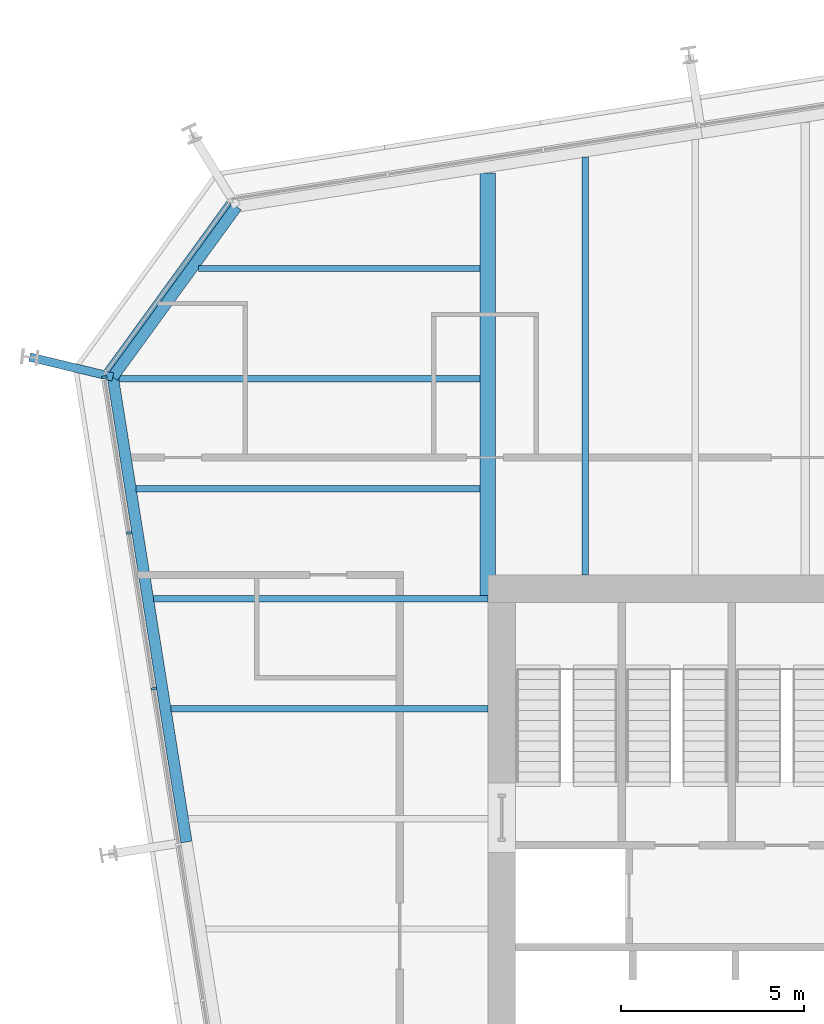
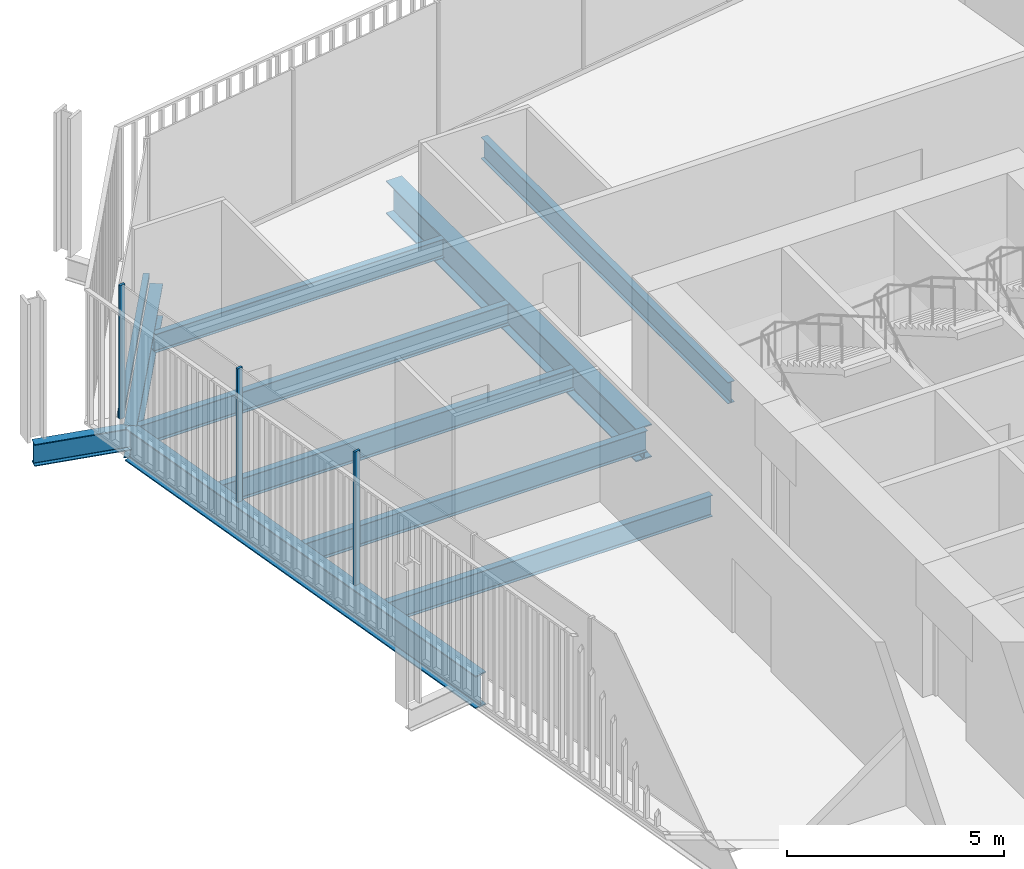
# One storey, part 10 of 21: 10 beams, 4 members, 2 elements without a shape of their own.
"""IFC4 building model written with IfcOpenShell, lengths in metres."""

from ifc_helpers import new_model, si_unit, direction, frame, origin, origin_2d, place, context, subcontext, project, spatial, rectangle, i_section, extrude, material, layer, layer_set, material_profile, profile_set, type_object, element, aggregate, save


model = new_model("IFC4")

# Units and contexts
model_context = context("Model", 3, precision=1e-05, world=origin(), true_north=direction((0.0, 1.0)))
body_context = subcontext(model_context, "Body", "Model", "MODEL_VIEW")
ifc_project = project(units=[si_unit("LENGTHUNIT", "METRE"), si_unit("AREAUNIT", "SQUARE_METRE"), si_unit("VOLUMEUNIT", "CUBIC_METRE"), si_unit("PLANEANGLEUNIT", "RADIAN"), si_unit("MASSUNIT", "GRAM", prefix="KILO")], contexts=[model_context])

# Site, building, storey
site_placement = place(None, origin())
site = spatial("IfcSite", under=ifc_project, at=site_placement, CompositionType="ELEMENT")
building_placement = place(site_placement, origin())
building = spatial("IfcBuilding", under=site, at=building_placement, Name="Millrace Tower", CompositionType="ELEMENT")
storey_placement = place(building_placement, frame((0.0, 0.0, 164.60009765625)))
storey = spatial("IfcBuildingStorey", under=building, at=storey_placement, Name="L37", CompositionType="ELEMENT", Elevation=164.60009765625)

# Curtain wall, members
ifc_material_1 = material(Name="Aluminium and glass", Category="aluminium")
ifc_layer = layer(ifc_material_1, 0.14990234375)
ifc_layer_set = layer_set([ifc_layer], Name="Aluminium and glass")
curtain_wall_type = type_object("IfcCurtainWallType", Name="CW-1 office vision curtain wall", PredefinedType="NOTDEFINED", material=ifc_layer_set)
placement = place(storey_placement, origin())
curtain_wall_1 = element("IfcCurtainWall", 1, at=placement, inside=storey, type_object=curtain_wall_type, Name="Curtain wall C-F08 L37", PredefinedType="NOTDEFINED")
ifc_material_2 = material(Name="Aluminium", Category="aluminium")
ifc_material_profile_1 = material_profile(ifc_material_2, rectangle(XDim=0.06494140625, YDim=0.14990234375, at=origin_2d()))
ifc_profile_set_1 = profile_set([ifc_material_profile_1], Name="Aluminium")
member_type_1 = type_object("IfcMemberType", Name="CW-1 office vision curtain wall mullion", PredefinedType="MULLION", material=ifc_profile_set_1)
member_1_placement = place(storey_placement, frame((-25.106689453125, 15.041748046875, 0.139892578125), z_axis=(0.0, 0.0, 1.0), x_axis=(0.15643447328, -0.98768833929, 0.0)))
member_1 = element("IfcMember", 2, at=member_1_placement, type_object=member_type_1, Name="CW1 mullion C-F08.1", PredefinedType="MULLION", context=body_context, shape_type="SweptSolid", body=[
    extrude(rectangle(XDim=0.06494140625, YDim=0.14990234375, at=origin_2d()), origin(), (0.0, 0.0, 1.0), 3.760009765625),
])
member_2_placement = place(storey_placement, frame((-24.43408203125, 10.794677734375, 0.139892578125), z_axis=(0.0, 0.0, 1.0), x_axis=(0.15643447328, -0.98768833929, 0.0)))
member_2 = element("IfcMember", 3, at=member_2_placement, type_object=member_type_1, Name="CW1 mullion C-F08.2", PredefinedType="MULLION", context=body_context, shape_type="SweptSolid", body=[
    extrude(rectangle(XDim=0.06494140625, YDim=0.14990234375, at=origin_2d()), origin(), (0.0, 0.0, 1.0), 3.760009765625),
])
member_3_placement = place(storey_placement, frame((-23.76123046875, 6.547607421875, 0.139892578125), z_axis=(0.0, 0.0, 1.0), x_axis=(0.15643447328, -0.98768833929, 0.0)))
member_3 = element("IfcMember", 4, at=member_3_placement, type_object=member_type_1, Name="CW1 mullion C-F08.3", PredefinedType="MULLION", context=body_context, shape_type="SweptSolid", body=[
    extrude(rectangle(XDim=0.06494140625, YDim=0.14990234375, at=origin_2d()), origin(), (0.0, 0.0, 1.0), 3.760009765625),
])
aggregate(curtain_wall_1, [member_1, member_2, member_3])

# Curtain wall, member
curtain_wall_2 = element("IfcCurtainWall", 5, at=placement, inside=storey, type_object=curtain_wall_type, Name="Curtain wall C-F07 L37", PredefinedType="NOTDEFINED")
ifc_material_3 = material(Name="Aluminium", Category="aluminium")
ifc_material_profile_2 = material_profile(ifc_material_3, rectangle(XDim=0.14990234375, YDim=0.139892578125, at=origin_2d()))
ifc_profile_set_2 = profile_set([ifc_material_profile_2], Name="Aluminium")
member_type_2 = type_object("IfcMemberType", Name="CW-1 office vision curtain wall transom", PredefinedType="USERDEFINED", material=ifc_profile_set_2)
member_4_placement = place(storey_placement, frame((-21.70751953125, 19.796875, 0.06982421875), z_axis=(-0.587761915215, -0.80903394924, 0.0), x_axis=(0.80903394924, -0.587761915215, 0.0)))
member_4 = element("IfcMember", 6, at=member_4_placement, type_object=member_type_2, Name="CW1 transom C-F07.1", ObjectType="TRANSOM", PredefinedType="USERDEFINED", context=body_context, shape_type="SweptSolid", body=[
    extrude(rectangle(XDim=0.14990234375, YDim=0.139892578125, at=origin_2d()), origin(), (0.0, 0.0, 1.0), 5.6689453125),
])
aggregate(curtain_wall_2, [member_4])

# Beams
ifc_material_4 = material(Name="Steel ASTM A992 Grade 50", Category="steel")
ifc_material_profile_3 = material_profile(ifc_material_4, i_section(OverallWidth=0.1650390625, OverallDepth=0.52587890625, WebThickness=0.0087890625, FlangeThickness=0.011474609375, FilletRadius=0.0126953125, at=origin_2d()))
ifc_profile_set_3 = profile_set([ifc_material_profile_3], Name="Steel ASTM A992 Grade 50")
beam_type_1 = type_object("IfcBeamType", Name="Floor beam W21x44", PredefinedType="JOIST", material=ifc_profile_set_3)
beam_1_placement = place(storey_placement, frame((-22.540283203125, 18.0, -0.423095703125), z_axis=(1.0, 0.0, 0.0), x_axis=(0.0, 1.0, 0.0)))
element("IfcBeam", 7, at=beam_1_placement, inside=storey, type_object=beam_type_1, Name="BM-C-L37-S1-S035", PredefinedType="JOIST", context=body_context, shape_type="SweptSolid", body=[
    extrude(i_section(OverallWidth=0.1650390625, OverallDepth=0.52587890625, WebThickness=0.0087890625, FlangeThickness=0.011474609375, FilletRadius=0.0126953125, at=origin_2d()), origin(), (0.0, 0.0, 1.0), 7.6806640625),
])
ifc_material_5 = material(Name="Steel ASTM A992 Grade 50", Category="steel")
ifc_material_profile_4 = material_profile(ifc_material_5, i_section(OverallWidth=0.177978515625, OverallDepth=0.599365234375, WebThickness=0.010009765625, FlangeThickness=0.012939453125, FilletRadius=0.012939453125, at=origin_2d()))
ifc_profile_set_4 = profile_set([ifc_material_profile_4], Name="Steel ASTM A992 Grade 50")
beam_type_2 = type_object("IfcBeamType", Name="Floor beam W24x55", PredefinedType="JOIST", material=ifc_profile_set_4)
beam_2_placement = place(storey_placement, frame((-23.28759765625, 6.0, -0.459716796875), z_axis=(1.0, 0.0, 0.0), x_axis=(0.0, 1.0, 0.0)))
element("IfcBeam", 8, at=beam_2_placement, inside=storey, type_object=beam_type_2, Name="BM-C-L37-S1-S026", PredefinedType="JOIST", context=body_context, shape_type="SweptSolid", body=[
    extrude(i_section(OverallWidth=0.177978515625, OverallDepth=0.599365234375, WebThickness=0.010009765625, FlangeThickness=0.012939453125, FilletRadius=0.012939453125, at=origin_2d()), origin(), (0.0, 0.0, 1.0), 8.6376953125),
])
beam_3_placement = place(storey_placement, frame((-23.7626953125, 9.0, -0.459716796875), z_axis=(1.0, 0.0, 0.0), x_axis=(0.0, 1.0, 0.0)))
element("IfcBeam", 9, at=beam_3_placement, inside=storey, type_object=beam_type_2, Name="BM-C-L37-S1-S029", PredefinedType="JOIST", context=body_context, shape_type="SweptSolid", body=[
    extrude(i_section(OverallWidth=0.177978515625, OverallDepth=0.599365234375, WebThickness=0.010009765625, FlangeThickness=0.012939453125, FilletRadius=0.012939453125, at=origin_2d()), origin(), (0.0, 0.0, 1.0), 9.11279296875),
])
beam_4_placement = place(storey_placement, frame((-24.23779296875, 12.0, -0.459716796875), z_axis=(1.0, 0.0, 0.0), x_axis=(0.0, 1.0, 0.0)))
element("IfcBeam", 10, at=beam_4_placement, inside=storey, type_object=beam_type_2, Name="BM-C-L37-S1-S031", PredefinedType="JOIST", context=body_context, shape_type="SweptSolid", body=[
    extrude(i_section(OverallWidth=0.177978515625, OverallDepth=0.599365234375, WebThickness=0.010009765625, FlangeThickness=0.012939453125, FilletRadius=0.012939453125, at=origin_2d()), origin(), (0.0, 0.0, 1.0), 9.378173828125),
])
beam_5_placement = place(storey_placement, frame((-24.712890625, 15.0, -0.459716796875), z_axis=(1.0, 0.0, 0.0), x_axis=(0.0, 1.0, 0.0)))
element("IfcBeam", 11, at=beam_5_placement, inside=storey, type_object=beam_type_2, Name="BM-C-L37-S1-S033", PredefinedType="JOIST", context=body_context, shape_type="SweptSolid", body=[
    extrude(i_section(OverallWidth=0.177978515625, OverallDepth=0.599365234375, WebThickness=0.010009765625, FlangeThickness=0.012939453125, FilletRadius=0.012939453125, at=origin_2d()), origin(), (0.0, 0.0, 1.0), 9.853271484375),
])
ifc_material_6 = material(Name="Steel ASTM A992 Grade 50", Category="steel")
ifc_material_profile_5 = material_profile(ifc_material_6, i_section(OverallWidth=0.1787109375, OverallDepth=0.60205078125, WebThickness=0.010986328125, FlangeThickness=0.014892578125, FilletRadius=0.0126953125, at=origin_2d()))
ifc_profile_set_5 = profile_set([ifc_material_profile_5], Name="Steel ASTM A992 Grade 50")
beam_type_3 = type_object("IfcBeamType", Name="Floor beam W24x62", PredefinedType="JOIST", material=ifc_profile_set_5)
beam_6_placement = place(storey_placement, frame((-12.0, 9.64990234375, -0.461181640625), z_axis=(0.0, 1.0, 0.0), x_axis=(-1.0, 0.0, 0.0)))
element("IfcBeam", 12, at=beam_6_placement, inside=storey, type_object=beam_type_3, Name="BM-C-L37-S1-S039", PredefinedType="JOIST", context=body_context, shape_type="SweptSolid", body=[
    extrude(i_section(OverallWidth=0.1787109375, OverallDepth=0.60205078125, WebThickness=0.010986328125, FlangeThickness=0.014892578125, FilletRadius=0.0126953125, at=origin_2d()), origin(), (0.0, 0.0, 1.0), 11.39111328125),
])
ifc_material_7 = material(Name="Steel ASTM A992 Grade 50", Category="steel")
ifc_material_profile_6 = material_profile(ifc_material_7, i_section(OverallWidth=0.419189453125, OverallDepth=0.927001953125, WebThickness=0.019287109375, FlangeThickness=0.031982421875, FilletRadius=0.024169921875, at=origin_2d()))
ifc_profile_set_6 = profile_set([ifc_material_profile_6], Name="Steel ASTM A992 Grade 50")
beam_type_4 = type_object("IfcBeamType", Name="Girder short span W36x231", PredefinedType="BEAM", material=ifc_profile_set_6)
beam_7_placement = place(storey_placement, frame((-14.64990234375, 9.090087890625, -0.62353515625), z_axis=(0.0, 1.0, 0.0), x_axis=(-1.0, 0.0, 0.0)))
element("IfcBeam", 13, at=beam_7_placement, inside=storey, type_object=beam_type_4, Name="BM-C-L37-S1-G057", PredefinedType="BEAM", context=body_context, shape_type="SweptSolid", body=[
    extrude(i_section(OverallWidth=0.419189453125, OverallDepth=0.927001953125, WebThickness=0.019287109375, FlangeThickness=0.031982421875, FilletRadius=0.024169921875, at=origin_2d()), origin(), (0.0, 0.0, 1.0), 11.523193359375),
])
ifc_material_8 = material(Name="Steel ASTM A992 Grade 50", Category="steel")
ifc_material_profile_7 = material_profile(ifc_material_8, i_section(OverallWidth=0.23046875, OverallDepth=0.6171875, WebThickness=0.01318359375, FlangeThickness=0.022216796875, FilletRadius=0.012939453125, at=origin_2d()))
ifc_profile_set_7 = profile_set([ifc_material_profile_7], Name="Steel ASTM A992 Grade 50")
beam_type_5 = type_object("IfcBeamType", Name="Link beam W24x94", PredefinedType="BEAM", material=ifc_profile_set_7)
beam_8_placement = place(storey_placement, frame((-24.8759765625, 15.046630859375, -0.46875), z_axis=(-0.972367333652, 0.233456138164, 0.0), x_axis=(-0.233456138164, -0.972367333652, 0.0)))
element("IfcBeam", 14, at=beam_8_placement, inside=storey, type_object=beam_type_5, Name="LNK-C-L37-S1-04", PredefinedType="BEAM", context=body_context, shape_type="SweptSolid", body=[
    extrude(i_section(OverallWidth=0.23046875, OverallDepth=0.6171875, WebThickness=0.01318359375, FlangeThickness=0.022216796875, FilletRadius=0.012939453125, at=origin_2d()), origin(), (0.0, 0.0, 1.0), 2.3310546875),
])
ifc_material_9 = material(Name="Steel ASTM A992 Grade 50", Category="steel")
ifc_material_profile_8 = material_profile(ifc_material_9, i_section(OverallWidth=0.307373046875, OverallDepth=0.927001953125, WebThickness=0.01953125, FlangeThickness=0.031982421875, FilletRadius=0.01904296875, at=origin_2d()))
ifc_profile_set_8 = profile_set([ifc_material_profile_8], Name="Steel ASTM A992 Grade 50")
beam_type_6 = type_object("IfcBeamType", Name="Ring beam medium span W36x194", PredefinedType="SPANDREL", material=ifc_profile_set_8)
beam_9_placement = place(storey_placement, frame((-22.867919921875, 2.368408203125, -0.62353515625), z_axis=(-0.156436246498, 0.987688058438, 0.0), x_axis=(-0.987688058438, -0.156436246498, 0.0)))
element("IfcBeam", 15, at=beam_9_placement, inside=storey, type_object=beam_type_6, Name="RNG-C-L37-S1-03", PredefinedType="SPANDREL", context=body_context, shape_type="SweptSolid", body=[
    extrude(i_section(OverallWidth=0.307373046875, OverallDepth=0.927001953125, WebThickness=0.01953125, FlangeThickness=0.031982421875, FilletRadius=0.01904296875, at=origin_2d()), origin(), (0.0, 0.0, 1.0), 12.836181640625),
])
ifc_material_10 = material(Name="Steel ASTM A992 Grade 50", Category="steel")
ifc_material_profile_9 = material_profile(ifc_material_10, i_section(OverallWidth=0.307373046875, OverallDepth=0.927001953125, WebThickness=0.01953125, FlangeThickness=0.031982421875, FilletRadius=0.01904296875, at=origin_2d()))
ifc_profile_set_9 = profile_set([ifc_material_profile_9], Name="Steel ASTM A992 Grade 50")
beam_type_7 = type_object("IfcBeamType", Name="Ring beam short span W36x194", PredefinedType="SPANDREL", material=ifc_profile_set_9)
beam_10_placement = place(storey_placement, frame((-24.8759765625, 15.046630859375, -0.62353515625), z_axis=(0.587787348381, 0.809015471473, 0.0), x_axis=(-0.809015471473, 0.587787348381, 0.0)))
element("IfcBeam", 16, at=beam_10_placement, inside=storey, type_object=beam_type_7, Name="RNG-C-L37-S1-04", PredefinedType="SPANDREL", context=body_context, shape_type="SweptSolid", body=[
    extrude(i_section(OverallWidth=0.307373046875, OverallDepth=0.927001953125, WebThickness=0.01953125, FlangeThickness=0.031982421875, FilletRadius=0.01904296875, at=origin_2d()), origin(), (0.0, 0.0, 1.0), 5.741943359375),
])

save(model, "model.ifc")
